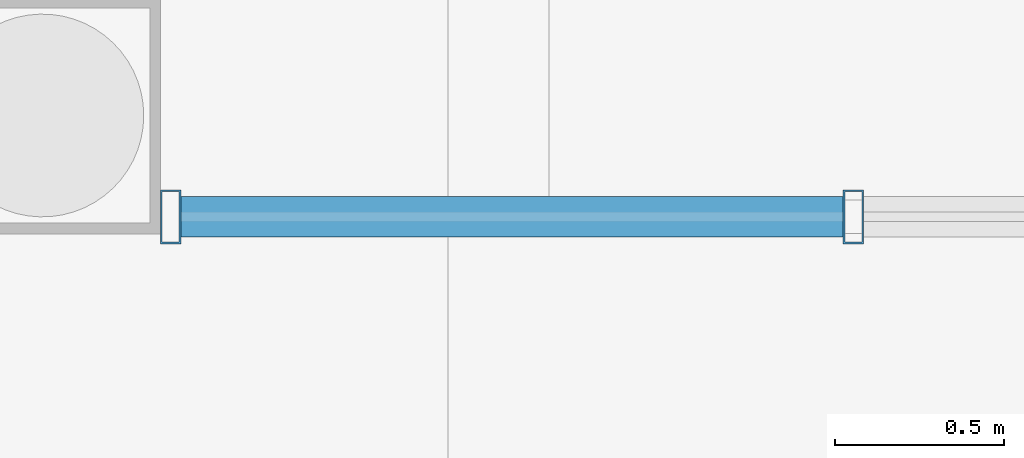
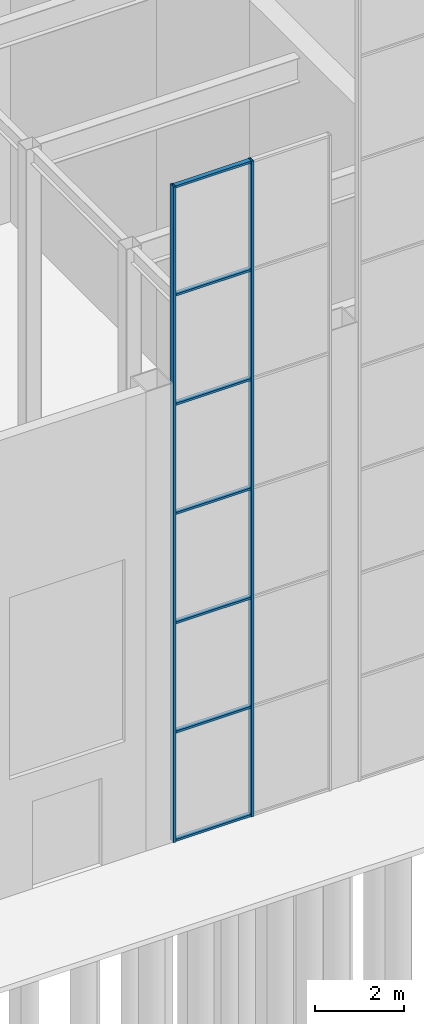
# One storey, part 28 of 58: 9 members, 1 element without a shape of its own.
"""IFC4 building model written with IfcOpenShell, lengths in metres."""

from ifc_helpers import new_model, si_unit, direction, frame, origin, origin_2d, place, context, subcontext, project, spatial, hollow_rectangle, extrude, material, layer, layer_set, material_profile, profile_set, type_object, element, aggregate, save


model = new_model("IFC4")

# Units and contexts
model_context = context("Model", 3, precision=1e-05, world=origin(), true_north=direction((0.0, 1.0)))
body_context = subcontext(model_context, "Body", "Model", "MODEL_VIEW")
ifc_project = project(units=[si_unit("LENGTHUNIT", "METRE"), si_unit("AREAUNIT", "SQUARE_METRE"), si_unit("VOLUMEUNIT", "CUBIC_METRE"), si_unit("PLANEANGLEUNIT", "RADIAN"), si_unit("MASSUNIT", "GRAM", prefix="KILO")], contexts=[model_context])

# Site, building, storey
site_placement = place(None, origin())
site = spatial("IfcSite", under=ifc_project, at=site_placement, CompositionType="ELEMENT")
building_placement = place(site_placement, origin())
building = spatial("IfcBuilding", under=site, at=building_placement, Name="Baori Bourse Tower", CompositionType="ELEMENT")
storey_placement = place(building_placement, origin())
storey = spatial("IfcBuildingStorey", under=building, at=storey_placement, Name="L00", CompositionType="ELEMENT", Elevation=0.0)

# Curtain wall, members
ifc_material_1 = material(Name="Pale anodised aluminium", Category="aluminium")
ifc_layer = layer(ifc_material_1, 0.10009765625)
ifc_layer_set = layer_set([ifc_layer], Name="Wing curtain wall")
curtain_wall_type = type_object("IfcCurtainWallType", Name="Wing curtain wall", PredefinedType="NOTDEFINED", material=ifc_layer_set)
curtain_wall_placement = place(storey_placement, origin())
curtain_wall = element("IfcCurtainWall", 1, at=curtain_wall_placement, inside=storey, type_object=curtain_wall_type, Name="wing/L00/hallcw/007", PredefinedType="NOTDEFINED")
ifc_material_2 = material(Name="Pale anodised aluminium", Category="aluminium")
ifc_material_profile_1 = material_profile(ifc_material_2, hollow_rectangle(XDim=0.159912109375, YDim=0.06005859375, WallThickness=0.0048828125, at=origin_2d()), Name="Mullion 160x60x5")
ifc_profile_set_1 = profile_set([ifc_material_profile_1], Name="Pale anodised aluminium")
member_type_1 = type_object("IfcMemberType", Name="Wing mullion 60x160", PredefinedType="MULLION", material=ifc_profile_set_1)
member_1_placement = place(storey_placement, frame((48.3798828125, -25.14990234375, 0.0), z_axis=(0.0, 0.0, 1.0), x_axis=(0.0, 1.0, 0.0)))
member_1 = element("IfcMember", 2, at=member_1_placement, type_object=member_type_1, Name="X12 mullion 1", PredefinedType="MULLION", context=body_context, shape_type="SweptSolid", body=[
    extrude(hollow_rectangle(XDim=0.159912109375, YDim=0.06005859375, WallThickness=0.0048828125, at=origin_2d()), origin(), (0.0, 0.0, 1.0), 18.0),
])
member_2_placement = place(storey_placement, frame((50.39990234375, -25.14990234375, 0.0), z_axis=(0.0, 0.0, 1.0), x_axis=(0.0, 1.0, 0.0)))
member_2 = element("IfcMember", 3, at=member_2_placement, type_object=member_type_1, Name="X12 mullion 2", PredefinedType="MULLION", context=body_context, shape_type="SweptSolid", body=[
    extrude(hollow_rectangle(XDim=0.159912109375, YDim=0.06005859375, WallThickness=0.0048828125, at=origin_2d()), origin(), (0.0, 0.0, 1.0), 18.0),
])
ifc_material_3 = material(Name="Pale anodised aluminium", Category="aluminium")
ifc_material_profile_2 = material_profile(ifc_material_3, hollow_rectangle(XDim=0.1201171875, YDim=0.06005859375, WallThickness=0.0048828125, at=origin_2d()), Name="Transom 120x60x5")
ifc_profile_set_2 = profile_set([ifc_material_profile_2], Name="Pale anodised aluminium")
member_type_2 = type_object("IfcMemberType", Name="Wing transom 120x60", PredefinedType="USERDEFINED", material=ifc_profile_set_2)
member_3_placement = place(storey_placement, frame((48.409912109375, -25.14990234375, 0.030029296875), z_axis=(1.0, 0.0, 0.0), x_axis=(0.0, 1.0, 0.0)))
member_3 = element("IfcMember", 4, at=member_3_placement, type_object=member_type_2, Name="X12 transom 1.1", ObjectType="TRANSOM", PredefinedType="USERDEFINED", context=body_context, shape_type="SweptSolid", body=[
    extrude(hollow_rectangle(XDim=0.1201171875, YDim=0.06005859375, WallThickness=0.0048828125, at=origin_2d()), origin(), (0.0, 0.0, 1.0), 1.960205078125),
])
member_4_placement = place(storey_placement, frame((48.409912109375, -25.14990234375, 3.0), z_axis=(1.0, 0.0, 0.0), x_axis=(0.0, 1.0, 0.0)))
member_4 = element("IfcMember", 5, at=member_4_placement, type_object=member_type_2, Name="X12 transom 1.2", ObjectType="TRANSOM", PredefinedType="USERDEFINED", context=body_context, shape_type="SweptSolid", body=[
    extrude(hollow_rectangle(XDim=0.1201171875, YDim=0.06005859375, WallThickness=0.0048828125, at=origin_2d()), origin(), (0.0, 0.0, 1.0), 1.960205078125),
])
member_5_placement = place(storey_placement, frame((48.409912109375, -25.14990234375, 6.0), z_axis=(1.0, 0.0, 0.0), x_axis=(0.0, 1.0, 0.0)))
member_5 = element("IfcMember", 6, at=member_5_placement, type_object=member_type_2, Name="X12 transom 1.3", ObjectType="TRANSOM", PredefinedType="USERDEFINED", context=body_context, shape_type="SweptSolid", body=[
    extrude(hollow_rectangle(XDim=0.1201171875, YDim=0.06005859375, WallThickness=0.0048828125, at=origin_2d()), origin(), (0.0, 0.0, 1.0), 1.960205078125),
])
member_6_placement = place(storey_placement, frame((48.409912109375, -25.14990234375, 9.0), z_axis=(1.0, 0.0, 0.0), x_axis=(0.0, 1.0, 0.0)))
member_6 = element("IfcMember", 7, at=member_6_placement, type_object=member_type_2, Name="X12 transom 1.4", ObjectType="TRANSOM", PredefinedType="USERDEFINED", context=body_context, shape_type="SweptSolid", body=[
    extrude(hollow_rectangle(XDim=0.1201171875, YDim=0.06005859375, WallThickness=0.0048828125, at=origin_2d()), origin(), (0.0, 0.0, 1.0), 1.960205078125),
])
member_7_placement = place(storey_placement, frame((48.409912109375, -25.14990234375, 12.0), z_axis=(1.0, 0.0, 0.0), x_axis=(0.0, 1.0, 0.0)))
member_7 = element("IfcMember", 8, at=member_7_placement, type_object=member_type_2, Name="X12 transom 1.5", ObjectType="TRANSOM", PredefinedType="USERDEFINED", context=body_context, shape_type="SweptSolid", body=[
    extrude(hollow_rectangle(XDim=0.1201171875, YDim=0.06005859375, WallThickness=0.0048828125, at=origin_2d()), origin(), (0.0, 0.0, 1.0), 1.960205078125),
])
member_8_placement = place(storey_placement, frame((48.409912109375, -25.14990234375, 15.0), z_axis=(1.0, 0.0, 0.0), x_axis=(0.0, 1.0, 0.0)))
member_8 = element("IfcMember", 9, at=member_8_placement, type_object=member_type_2, Name="X12 transom 1.6", ObjectType="TRANSOM", PredefinedType="USERDEFINED", context=body_context, shape_type="SweptSolid", body=[
    extrude(hollow_rectangle(XDim=0.1201171875, YDim=0.06005859375, WallThickness=0.0048828125, at=origin_2d()), origin(), (0.0, 0.0, 1.0), 1.960205078125),
])
member_9_placement = place(storey_placement, frame((48.409912109375, -25.14990234375, 17.969970703125), z_axis=(1.0, 0.0, 0.0), x_axis=(0.0, 1.0, 0.0)))
member_9 = element("IfcMember", 10, at=member_9_placement, type_object=member_type_2, Name="X12 transom 1.7", ObjectType="TRANSOM", PredefinedType="USERDEFINED", context=body_context, shape_type="SweptSolid", body=[
    extrude(hollow_rectangle(XDim=0.1201171875, YDim=0.06005859375, WallThickness=0.0048828125, at=origin_2d()), origin(), (0.0, 0.0, 1.0), 1.960205078125),
])
aggregate(curtain_wall, [member_1, member_2, member_3, member_4, member_5, member_6, member_7, member_8, member_9])

save(model, "model.ifc")
